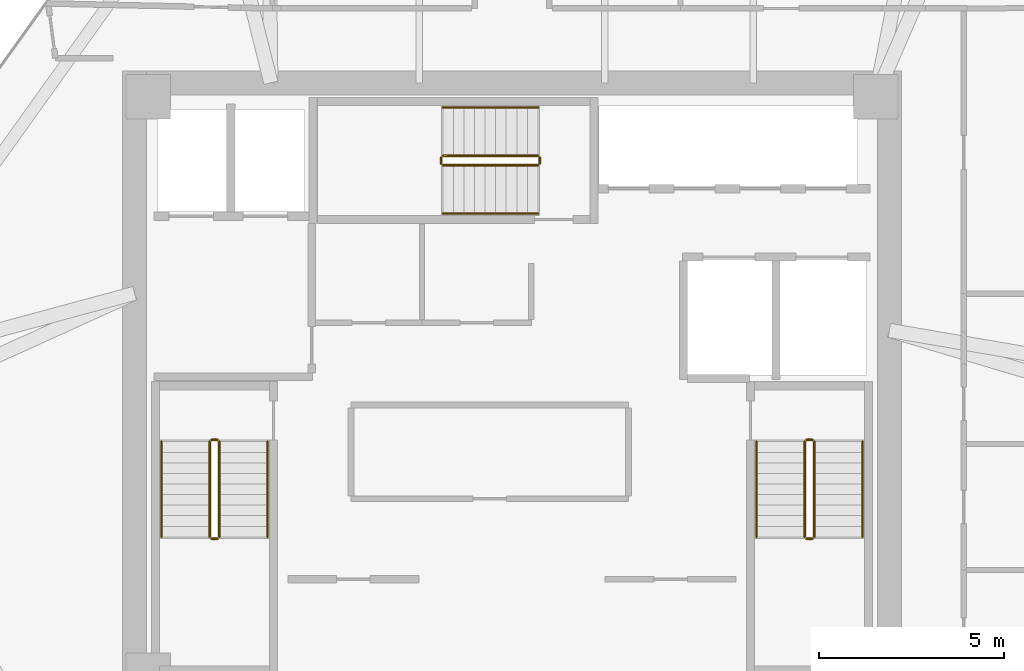
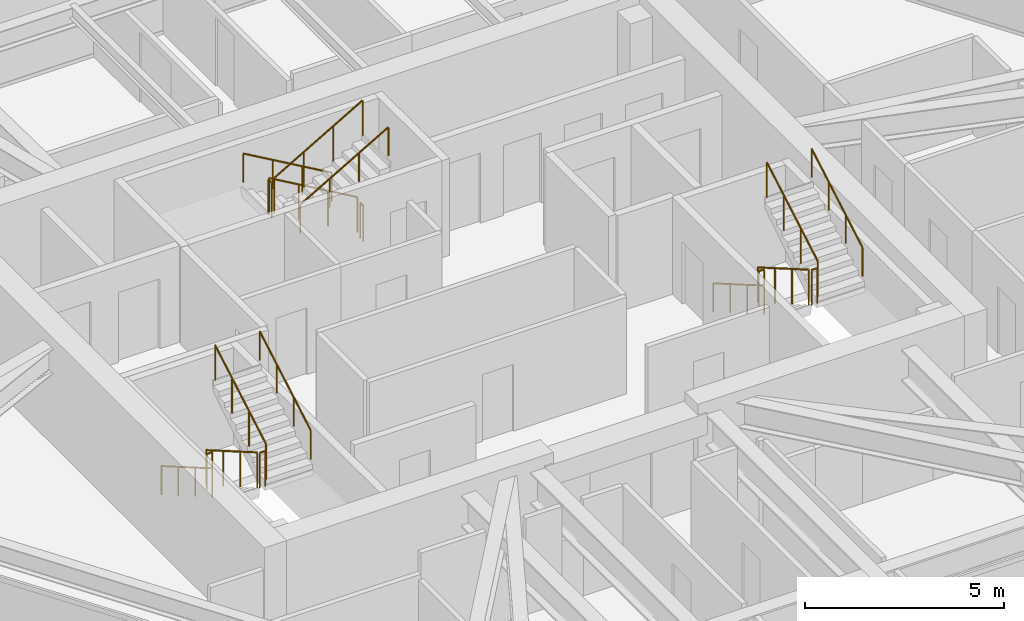
# One storey, part 14 of 14: 18 railings.
"""IFC4 building model written with IfcOpenShell, lengths in metres."""

from ifc_helpers import new_model, si_unit, direction, frame, origin, origin_2d, place, context, subcontext, project, spatial, circle, extrude, material, type_object, element, save


model = new_model("IFC4")

# Units and contexts
model_context = context("Model", 3, precision=1e-05, world=origin(), true_north=direction((0.0, 1.0)))
body_context = subcontext(model_context, "Body", "Model", "MODEL_VIEW")
ifc_project = project(units=[si_unit("LENGTHUNIT", "METRE"), si_unit("AREAUNIT", "SQUARE_METRE"), si_unit("VOLUMEUNIT", "CUBIC_METRE"), si_unit("PLANEANGLEUNIT", "RADIAN"), si_unit("MASSUNIT", "GRAM", prefix="KILO")], contexts=[model_context])

# Site, building, storey
site_placement = place(None, origin())
site = spatial("IfcSite", under=ifc_project, at=site_placement, CompositionType="ELEMENT")
building_placement = place(site_placement, origin())
building = spatial("IfcBuilding", under=site, at=building_placement, Name="Durnholm Broadcast Tower", CompositionType="ELEMENT")
storey_placement = place(building_placement, frame((0.0, 0.0, 159.300048828125)))
storey = spatial("IfcBuildingStorey", under=building, at=storey_placement, Name="L43", CompositionType="ELEMENT", Elevation=159.300048828125)

# Railings
ifc_material_1 = material(Name="Painted Tubular Steel Stair Guardrail", Category="steel")
railing_type_1 = type_object("IfcRailingType", Name="RAIL-ST-GRD", PredefinedType="GUARDRAIL", material=ifc_material_1)
railing_1_placement = place(storey_placement, frame((-8.14990234375, -1.5, 0.1650390625)))
element("IfcRailing", 1, at=railing_1_placement, inside=storey, type_object=railing_type_1, Name="L43 ST-1 stair guard 1", PredefinedType="GUARDRAIL", context=body_context, shape_type="SweptSolid", body=[
    extrude(circle(Radius=0.02392578125, at=origin_2d()), frame((0.0, 0.0, 1.076171875), z_axis=(0.0, -0.865441324677, 0.50101029285), x_axis=(1.0, 0.0, 0.0)), (0.0, 0.0, 1.0), 2.963623046875),
    extrude(circle(Radius=0.02099609375, at=origin_2d()), origin(), (0.0, 0.0, 1.0), 1.052001953125),
    extrude(circle(Radius=0.02099609375, at=origin_2d()), frame((0.0, -0.85498046875, 0.494873046875)), (0.0, 0.0, 1.0), 1.052001953125),
    extrude(circle(Radius=0.02099609375, at=origin_2d()), frame((0.0, -1.7099609375, 0.989990234375)), (0.0, 0.0, 1.0), 1.052001953125),
    extrude(circle(Radius=0.02099609375, at=origin_2d()), frame((0.0, -2.56494140625, 1.48486328125)), (0.0, 0.0, 1.0), 1.052001953125),
])
railing_2_placement = place(storey_placement, frame((-8.10009765625, -4.114990234375, 1.64990234375)))
element("IfcRailing", 2, at=railing_2_placement, inside=storey, type_object=railing_type_1, Name="L43 ST-1 stair guard 2", PredefinedType="GUARDRAIL", context=body_context, shape_type="SweptSolid", body=[
    extrude(circle(Radius=0.02392578125, at=origin_2d()), frame((0.0, 0.0, 1.076171875), z_axis=(1.0, 0.0, 0.0), x_axis=(0.0, 1.0, 0.0)), (0.0, 0.0, 1.0), 0.16015625),
    extrude(circle(Radius=0.02099609375, at=origin_2d()), origin(), (0.0, 0.0, 1.0), 1.052001953125),
    extrude(circle(Radius=0.02099609375, at=origin_2d()), frame((0.16015625, 0.0, 0.0)), (0.0, 0.0, 1.0), 1.052001953125),
])
railing_3_placement = place(storey_placement, frame((-7.889892578125, -4.06494140625, 1.81494140625)))
element("IfcRailing", 3, at=railing_3_placement, inside=storey, type_object=railing_type_1, Name="L43 ST-1 stair guard 3", PredefinedType="GUARDRAIL", context=body_context, shape_type="SweptSolid", body=[
    extrude(circle(Radius=0.02392578125, at=origin_2d()), frame((0.0, 0.0, 1.076171875), z_axis=(0.0, 0.865405606168, 0.501071987656), x_axis=(-1.0, 0.0, 0.0)), (0.0, 0.0, 1.0), 2.9638671875),
    extrude(circle(Radius=0.02099609375, at=origin_2d()), origin(), (0.0, 0.0, 1.0), 1.052001953125),
    extrude(circle(Radius=0.02099609375, at=origin_2d()), frame((0.0, 0.85498046875, 0.4951171875)), (0.0, 0.0, 1.0), 1.052001953125),
    extrude(circle(Radius=0.02099609375, at=origin_2d()), frame((0.0, 1.7099609375, 0.989990234375)), (0.0, 0.0, 1.0), 1.052001953125),
    extrude(circle(Radius=0.02099609375, at=origin_2d()), frame((0.0, 2.56494140625, 1.485107421875)), (0.0, 0.0, 1.0), 1.052001953125),
])
railing_4_placement = place(storey_placement, frame((-8.10009765625, -1.449951171875, 0.0)))
element("IfcRailing", 4, at=railing_4_placement, inside=storey, type_object=railing_type_1, Name="L43 ST-1 stair guard 4", PredefinedType="GUARDRAIL", context=body_context, shape_type="SweptSolid", body=[
    extrude(circle(Radius=0.02392578125, at=origin_2d()), frame((0.0, 0.0, 1.076171875), z_axis=(1.0, 0.0, 0.0), x_axis=(0.0, 1.0, 0.0)), (0.0, 0.0, 1.0), 0.16015625),
    extrude(circle(Radius=0.02099609375, at=origin_2d()), origin(), (0.0, 0.0, 1.0), 1.052001953125),
    extrude(circle(Radius=0.02099609375, at=origin_2d()), frame((0.16015625, 0.0, 0.0)), (0.0, 0.0, 1.0), 1.052001953125),
])
railing_5_placement = place(storey_placement, frame((7.889892578125, -1.5, 0.1650390625)))
element("IfcRailing", 5, at=railing_5_placement, inside=storey, type_object=railing_type_1, Name="L43 ST-2 stair guard 1", PredefinedType="GUARDRAIL", context=body_context, shape_type="SweptSolid", body=[
    extrude(circle(Radius=0.02392578125, at=origin_2d()), frame((0.0, 0.0, 1.076171875), z_axis=(0.0, -0.865441324677, 0.50101029285), x_axis=(1.0, 0.0, 0.0)), (0.0, 0.0, 1.0), 2.963623046875),
    extrude(circle(Radius=0.02099609375, at=origin_2d()), origin(), (0.0, 0.0, 1.0), 1.052001953125),
    extrude(circle(Radius=0.02099609375, at=origin_2d()), frame((0.0, -0.85498046875, 0.494873046875)), (0.0, 0.0, 1.0), 1.052001953125),
    extrude(circle(Radius=0.02099609375, at=origin_2d()), frame((0.0, -1.7099609375, 0.989990234375)), (0.0, 0.0, 1.0), 1.052001953125),
    extrude(circle(Radius=0.02099609375, at=origin_2d()), frame((0.0, -2.56494140625, 1.48486328125)), (0.0, 0.0, 1.0), 1.052001953125),
])
railing_6_placement = place(storey_placement, frame((7.93994140625, -4.114990234375, 1.64990234375)))
element("IfcRailing", 6, at=railing_6_placement, inside=storey, type_object=railing_type_1, Name="L43 ST-2 stair guard 2", PredefinedType="GUARDRAIL", context=body_context, shape_type="SweptSolid", body=[
    extrude(circle(Radius=0.02392578125, at=origin_2d()), frame((0.0, 0.0, 1.076171875), z_axis=(1.0, 0.0, 0.0), x_axis=(0.0, 1.0, 0.0)), (0.0, 0.0, 1.0), 0.16015625),
    extrude(circle(Radius=0.02099609375, at=origin_2d()), origin(), (0.0, 0.0, 1.0), 1.052001953125),
    extrude(circle(Radius=0.02099609375, at=origin_2d()), frame((0.16015625, 0.0, 0.0)), (0.0, 0.0, 1.0), 1.052001953125),
])
railing_7_placement = place(storey_placement, frame((8.14990234375, -4.06494140625, 1.81494140625)))
element("IfcRailing", 7, at=railing_7_placement, inside=storey, type_object=railing_type_1, Name="L43 ST-2 stair guard 3", PredefinedType="GUARDRAIL", context=body_context, shape_type="SweptSolid", body=[
    extrude(circle(Radius=0.02392578125, at=origin_2d()), frame((0.0, 0.0, 1.076171875), z_axis=(0.0, 0.865405606168, 0.501071987656), x_axis=(-1.0, 0.0, 0.0)), (0.0, 0.0, 1.0), 2.9638671875),
    extrude(circle(Radius=0.02099609375, at=origin_2d()), origin(), (0.0, 0.0, 1.0), 1.052001953125),
    extrude(circle(Radius=0.02099609375, at=origin_2d()), frame((0.0, 0.85498046875, 0.4951171875)), (0.0, 0.0, 1.0), 1.052001953125),
    extrude(circle(Radius=0.02099609375, at=origin_2d()), frame((0.0, 1.7099609375, 0.989990234375)), (0.0, 0.0, 1.0), 1.052001953125),
    extrude(circle(Radius=0.02099609375, at=origin_2d()), frame((0.0, 2.56494140625, 1.485107421875)), (0.0, 0.0, 1.0), 1.052001953125),
])
railing_8_placement = place(storey_placement, frame((7.93994140625, -1.449951171875, 0.0)))
element("IfcRailing", 8, at=railing_8_placement, inside=storey, type_object=railing_type_1, Name="L43 ST-2 stair guard 4", PredefinedType="GUARDRAIL", context=body_context, shape_type="SweptSolid", body=[
    extrude(circle(Radius=0.02392578125, at=origin_2d()), frame((0.0, 0.0, 1.076171875), z_axis=(1.0, 0.0, 0.0), x_axis=(0.0, 1.0, 0.0)), (0.0, 0.0, 1.0), 0.16015625),
    extrude(circle(Radius=0.02099609375, at=origin_2d()), origin(), (0.0, 0.0, 1.0), 1.052001953125),
    extrude(circle(Radius=0.02099609375, at=origin_2d()), frame((0.16015625, 0.0, 0.0)), (0.0, 0.0, 1.0), 1.052001953125),
])
railing_9_placement = place(storey_placement, frame((0.699951171875, 6.2099609375, 0.1650390625)))
element("IfcRailing", 9, at=railing_9_placement, inside=storey, type_object=railing_type_1, Name="L43 ST-3 stair guard 1", PredefinedType="GUARDRAIL", context=body_context, shape_type="SweptSolid", body=[
    extrude(circle(Radius=0.02392578125, at=origin_2d()), frame((0.0, 0.0, 1.076171875), z_axis=(-0.865441324677, 0.0, 0.50101029285), x_axis=(0.0, -1.0, 0.0)), (0.0, 0.0, 1.0), 2.963623046875),
    extrude(circle(Radius=0.02099609375, at=origin_2d()), origin(), (0.0, 0.0, 1.0), 1.052001953125),
    extrude(circle(Radius=0.02099609375, at=origin_2d()), frame((-0.85498046875, 0.0, 0.494873046875)), (0.0, 0.0, 1.0), 1.052001953125),
    extrude(circle(Radius=0.02099609375, at=origin_2d()), frame((-1.7099609375, 0.0, 0.989990234375)), (0.0, 0.0, 1.0), 1.052001953125),
    extrude(circle(Radius=0.02099609375, at=origin_2d()), frame((-2.56494140625, 0.0, 1.48486328125)), (0.0, 0.0, 1.0), 1.052001953125),
])
railing_10_placement = place(storey_placement, frame((-1.9150390625, 6.159912109375, 1.64990234375)))
element("IfcRailing", 10, at=railing_10_placement, inside=storey, type_object=railing_type_1, Name="L43 ST-3 stair guard 2", PredefinedType="GUARDRAIL", context=body_context, shape_type="SweptSolid", body=[
    extrude(circle(Radius=0.02392578125, at=origin_2d()), frame((0.0, 0.0, 1.076171875), z_axis=(0.0, -1.0, 0.0), x_axis=(1.0, 0.0, 0.0)), (0.0, 0.0, 1.0), 0.159912109375),
    extrude(circle(Radius=0.02099609375, at=origin_2d()), origin(), (0.0, 0.0, 1.0), 1.052001953125),
    extrude(circle(Radius=0.02099609375, at=origin_2d()), frame((0.0, -0.159912109375, 0.0)), (0.0, 0.0, 1.0), 1.052001953125),
])
railing_11_placement = place(storey_placement, frame((-1.864990234375, 5.949951171875, 1.81494140625)))
element("IfcRailing", 11, at=railing_11_placement, inside=storey, type_object=railing_type_1, Name="L43 ST-3 stair guard 3", PredefinedType="GUARDRAIL", context=body_context, shape_type="SweptSolid", body=[
    extrude(circle(Radius=0.02392578125, at=origin_2d()), frame((0.0, 0.0, 1.076171875), z_axis=(0.865405606168, 0.0, 0.501071987656), x_axis=(0.0, 1.0, 0.0)), (0.0, 0.0, 1.0), 2.9638671875),
    extrude(circle(Radius=0.02099609375, at=origin_2d()), origin(), (0.0, 0.0, 1.0), 1.052001953125),
    extrude(circle(Radius=0.02099609375, at=origin_2d()), frame((0.85498046875, 0.0, 0.4951171875)), (0.0, 0.0, 1.0), 1.052001953125),
    extrude(circle(Radius=0.02099609375, at=origin_2d()), frame((1.7099609375, 0.0, 0.989990234375)), (0.0, 0.0, 1.0), 1.052001953125),
    extrude(circle(Radius=0.02099609375, at=origin_2d()), frame((2.56494140625, 0.0, 1.485107421875)), (0.0, 0.0, 1.0), 1.052001953125),
])
railing_12_placement = place(storey_placement, frame((0.75, 6.159912109375, 0.0)))
element("IfcRailing", 12, at=railing_12_placement, inside=storey, type_object=railing_type_1, Name="L43 ST-3 stair guard 4", PredefinedType="GUARDRAIL", context=body_context, shape_type="SweptSolid", body=[
    extrude(circle(Radius=0.02392578125, at=origin_2d()), frame((0.0, 0.0, 1.076171875), z_axis=(0.0, -1.0, 0.0), x_axis=(1.0, 0.0, 0.0)), (0.0, 0.0, 1.0), 0.159912109375),
    extrude(circle(Radius=0.02099609375, at=origin_2d()), origin(), (0.0, 0.0, 1.0), 1.052001953125),
    extrude(circle(Radius=0.02099609375, at=origin_2d()), frame((0.0, -0.159912109375, 0.0)), (0.0, 0.0, 1.0), 1.052001953125),
])
ifc_material_2 = material(Name="Brushed Stainless Steel Handrail", Category="steel")
railing_type_2 = type_object("IfcRailingType", Name="RAIL-ST-HND", PredefinedType="HANDRAIL", material=ifc_material_2)
railing_13_placement = place(storey_placement, frame((-9.449951171875, -1.5, 0.329833984375)))
element("IfcRailing", 13, at=railing_13_placement, inside=storey, type_object=railing_type_2, Name="L43 ST-1 stair handrail 1", PredefinedType="HANDRAIL", context=body_context, shape_type="SweptSolid", body=[
    extrude(circle(Radius=0.02392578125, at=origin_2d()), frame((0.0, 0.0, 0.8759765625), z_axis=(0.0, -0.865405606168, 0.501071987656), x_axis=(1.0, 0.0, 0.0)), (0.0, 0.0, 1.0), 2.9638671875),
    extrude(circle(Radius=0.02099609375, at=origin_2d()), origin(), (0.0, 0.0, 1.0), 0.851806640625),
    extrude(circle(Radius=0.02099609375, at=origin_2d()), frame((0.0, -0.85498046875, 0.4951171875)), (0.0, 0.0, 1.0), 0.851806640625),
    extrude(circle(Radius=0.02099609375, at=origin_2d()), frame((0.0, -1.7099609375, 0.989990234375)), (0.0, 0.0, 1.0), 0.851806640625),
    extrude(circle(Radius=0.02099609375, at=origin_2d()), frame((0.0, -2.56494140625, 1.485107421875)), (0.0, 0.0, 1.0), 0.851806640625),
])
railing_14_placement = place(storey_placement, frame((-6.590087890625, -4.06494140625, 1.97998046875)))
element("IfcRailing", 14, at=railing_14_placement, inside=storey, type_object=railing_type_2, Name="L43 ST-1 stair handrail 2", PredefinedType="HANDRAIL", context=body_context, shape_type="SweptSolid", body=[
    extrude(circle(Radius=0.02392578125, at=origin_2d()), frame((0.0, 0.0, 0.8759765625), z_axis=(0.0, 0.865441324677, 0.50101029285), x_axis=(-1.0, 0.0, 0.0)), (0.0, 0.0, 1.0), 2.963623046875),
    extrude(circle(Radius=0.02099609375, at=origin_2d()), origin(), (0.0, 0.0, 1.0), 0.851806640625),
    extrude(circle(Radius=0.02099609375, at=origin_2d()), frame((0.0, 0.85498046875, 0.494873046875)), (0.0, 0.0, 1.0), 0.851806640625),
    extrude(circle(Radius=0.02099609375, at=origin_2d()), frame((0.0, 1.7099609375, 0.989990234375)), (0.0, 0.0, 1.0), 0.851806640625),
    extrude(circle(Radius=0.02099609375, at=origin_2d()), frame((0.0, 2.56494140625, 1.48486328125)), (0.0, 0.0, 1.0), 0.851806640625),
])
railing_15_placement = place(storey_placement, frame((6.590087890625, -1.5, 0.329833984375)))
element("IfcRailing", 15, at=railing_15_placement, inside=storey, type_object=railing_type_2, Name="L43 ST-2 stair handrail 1", PredefinedType="HANDRAIL", context=body_context, shape_type="SweptSolid", body=[
    extrude(circle(Radius=0.02392578125, at=origin_2d()), frame((0.0, 0.0, 0.8759765625), z_axis=(0.0, -0.865405606168, 0.501071987656), x_axis=(1.0, 0.0, 0.0)), (0.0, 0.0, 1.0), 2.9638671875),
    extrude(circle(Radius=0.02099609375, at=origin_2d()), origin(), (0.0, 0.0, 1.0), 0.851806640625),
    extrude(circle(Radius=0.02099609375, at=origin_2d()), frame((0.0, -0.85498046875, 0.4951171875)), (0.0, 0.0, 1.0), 0.851806640625),
    extrude(circle(Radius=0.02099609375, at=origin_2d()), frame((0.0, -1.7099609375, 0.989990234375)), (0.0, 0.0, 1.0), 0.851806640625),
    extrude(circle(Radius=0.02099609375, at=origin_2d()), frame((0.0, -2.56494140625, 1.485107421875)), (0.0, 0.0, 1.0), 0.851806640625),
])
railing_16_placement = place(storey_placement, frame((9.449951171875, -4.06494140625, 1.97998046875)))
element("IfcRailing", 16, at=railing_16_placement, inside=storey, type_object=railing_type_2, Name="L43 ST-2 stair handrail 2", PredefinedType="HANDRAIL", context=body_context, shape_type="SweptSolid", body=[
    extrude(circle(Radius=0.02392578125, at=origin_2d()), frame((0.0, 0.0, 0.8759765625), z_axis=(0.0, 0.865441324677, 0.50101029285), x_axis=(-1.0, 0.0, 0.0)), (0.0, 0.0, 1.0), 2.963623046875),
    extrude(circle(Radius=0.02099609375, at=origin_2d()), origin(), (0.0, 0.0, 1.0), 0.851806640625),
    extrude(circle(Radius=0.02099609375, at=origin_2d()), frame((0.0, 0.85498046875, 0.494873046875)), (0.0, 0.0, 1.0), 0.851806640625),
    extrude(circle(Radius=0.02099609375, at=origin_2d()), frame((0.0, 1.7099609375, 0.989990234375)), (0.0, 0.0, 1.0), 0.851806640625),
    extrude(circle(Radius=0.02099609375, at=origin_2d()), frame((0.0, 2.56494140625, 1.48486328125)), (0.0, 0.0, 1.0), 0.851806640625),
])
railing_17_placement = place(storey_placement, frame((0.699951171875, 7.510009765625, 0.329833984375)))
element("IfcRailing", 17, at=railing_17_placement, inside=storey, type_object=railing_type_2, Name="L43 ST-3 stair handrail 1", PredefinedType="HANDRAIL", context=body_context, shape_type="SweptSolid", body=[
    extrude(circle(Radius=0.02392578125, at=origin_2d()), frame((0.0, 0.0, 0.8759765625), z_axis=(-0.865405606168, 0.0, 0.501071987656), x_axis=(0.0, -1.0, 0.0)), (0.0, 0.0, 1.0), 2.9638671875),
    extrude(circle(Radius=0.02099609375, at=origin_2d()), origin(), (0.0, 0.0, 1.0), 0.851806640625),
    extrude(circle(Radius=0.02099609375, at=origin_2d()), frame((-0.85498046875, 0.0, 0.4951171875)), (0.0, 0.0, 1.0), 0.851806640625),
    extrude(circle(Radius=0.02099609375, at=origin_2d()), frame((-1.7099609375, 0.0, 0.989990234375)), (0.0, 0.0, 1.0), 0.851806640625),
    extrude(circle(Radius=0.02099609375, at=origin_2d()), frame((-2.56494140625, 0.0, 1.485107421875)), (0.0, 0.0, 1.0), 0.851806640625),
])
railing_18_placement = place(storey_placement, frame((-1.864990234375, 4.64990234375, 1.97998046875)))
element("IfcRailing", 18, at=railing_18_placement, inside=storey, type_object=railing_type_2, Name="L43 ST-3 stair handrail 2", PredefinedType="HANDRAIL", context=body_context, shape_type="SweptSolid", body=[
    extrude(circle(Radius=0.02392578125, at=origin_2d()), frame((0.0, 0.0, 0.8759765625), z_axis=(0.865441324677, 0.0, 0.50101029285), x_axis=(0.0, 1.0, 0.0)), (0.0, 0.0, 1.0), 2.963623046875),
    extrude(circle(Radius=0.02099609375, at=origin_2d()), origin(), (0.0, 0.0, 1.0), 0.851806640625),
    extrude(circle(Radius=0.02099609375, at=origin_2d()), frame((0.85498046875, 0.0, 0.494873046875)), (0.0, 0.0, 1.0), 0.851806640625),
    extrude(circle(Radius=0.02099609375, at=origin_2d()), frame((1.7099609375, 0.0, 0.989990234375)), (0.0, 0.0, 1.0), 0.851806640625),
    extrude(circle(Radius=0.02099609375, at=origin_2d()), frame((2.56494140625, 0.0, 1.48486328125)), (0.0, 0.0, 1.0), 0.851806640625),
])

save(model, "model.ifc")
